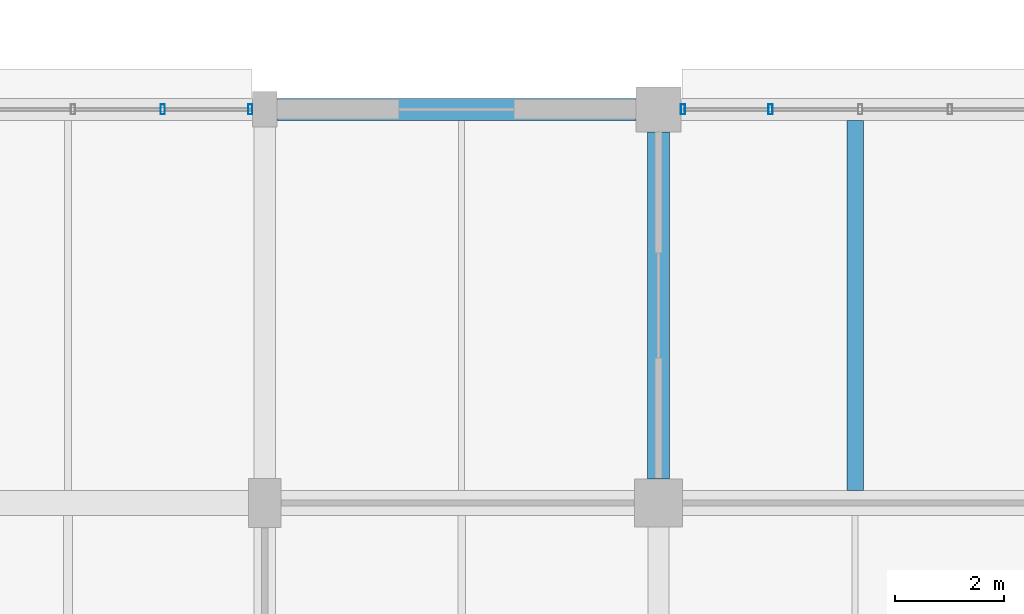
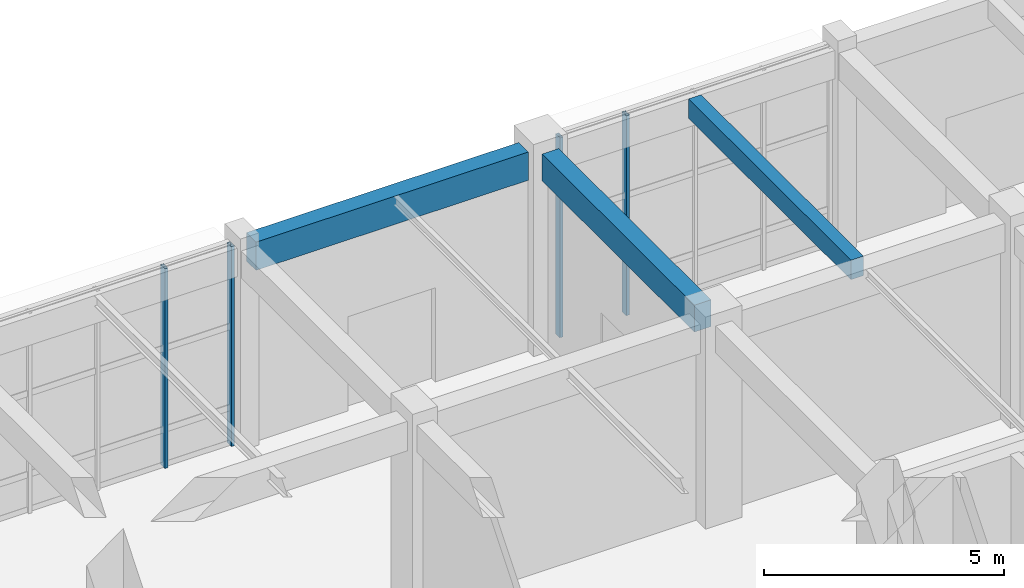
# One storey, part 58 of 160: 4 members, 3 beams, 2 elements without a shape of their own.
"""IFC4 building model written with IfcOpenShell, lengths in metres."""

from ifc_helpers import new_model, si_unit, direction, frame, origin, origin_2d, place, context, subcontext, project, spatial, rectangle, hollow_rectangle, extrude, material, material_profile, profile_set, type_object, element, aggregate, save


model = new_model("IFC4")

# Units and contexts
model_context = context("Model", 3, precision=1e-05, world=origin(), true_north=direction((0.0, 1.0)))
body_context = subcontext(model_context, "Body", "Model", "MODEL_VIEW")
ifc_project = project(units=[si_unit("LENGTHUNIT", "METRE"), si_unit("AREAUNIT", "SQUARE_METRE"), si_unit("VOLUMEUNIT", "CUBIC_METRE"), si_unit("PLANEANGLEUNIT", "RADIAN"), si_unit("MASSUNIT", "GRAM", prefix="KILO")], contexts=[model_context])

# Site, building, storey
site_placement = place(None, origin())
site = spatial("IfcSite", under=ifc_project, at=site_placement, CompositionType="ELEMENT")
building_placement = place(site_placement, origin())
building = spatial("IfcBuilding", under=site, at=building_placement, Name="Thalmaran Polytechnic", CompositionType="ELEMENT")
storey_placement = place(building_placement, origin())
storey = spatial("IfcBuildingStorey", under=building, at=storey_placement, Name="L00", CompositionType="ELEMENT", Elevation=0.0)

# Beams
ifc_material_1 = material(Name="Concrete C40/50", Category="concrete")
ifc_material_profile_1 = material_profile(ifc_material_1, rectangle(XDim=0.300048828125, YDim=0.5, at=origin_2d()), Name="RC 300x500")
ifc_profile_set_1 = profile_set([ifc_material_profile_1], Name="Concrete C40/50")
beam_type_1 = type_object("IfcBeamType", Name="BM-RC11", PredefinedType="JOIST", material=ifc_profile_set_1)
beam_1_placement = place(storey_placement, frame((25.199951171875, 115.425048828125, 4.840087890625), z_axis=(0.0, 1.0, 0.0), x_axis=(-1.0, 0.0, 0.0)))
element("IfcBeam", 1, at=beam_1_placement, inside=storey, type_object=beam_type_1, Name="Secondary Floor Rib RB01 L00 (3,16)", PredefinedType="JOIST", context=body_context, shape_type="SweptSolid", body=[
    extrude(rectangle(XDim=0.300048828125, YDim=0.5, at=origin_2d()), origin(), (0.0, 0.0, 1.0), 6.77490234375),
])
ifc_material_profile_2 = material_profile(ifc_material_1, rectangle(XDim=0.39990234375, YDim=0.719970703125, at=origin_2d()), Name="RC 400x720")
ifc_profile_set_2 = profile_set([ifc_material_profile_2], Name="Concrete C40/50")
beam_type_2 = type_object("IfcBeamType", Name="BM-SP01", PredefinedType="SPANDREL", material=ifc_profile_set_2)
beam_2_placement = place(storey_placement, frame((14.625, 122.39990234375, 4.72998046875), z_axis=(1.0, 0.0, 0.0), x_axis=(0.0, 1.0, 0.0)))
element("IfcBeam", 2, at=beam_2_placement, inside=storey, type_object=beam_type_2, Name="Grid Beam SP01 L00 X(2,17)", PredefinedType="SPANDREL", context=body_context, shape_type="SweptSolid", body=[
    extrude(rectangle(XDim=0.39990234375, YDim=0.719970703125, at=origin_2d()), origin(), (0.0, 0.0, 1.0), 6.56494140625),
])
ifc_material_profile_3 = material_profile(ifc_material_1, rectangle(XDim=0.39990234375, YDim=0.68505859375, at=origin_2d()), Name="RC 400x685")
ifc_profile_set_3 = profile_set([ifc_material_profile_3], Name="Concrete C40/50")
beam_type_3 = type_object("IfcBeamType", Name="BM-ZB07", PredefinedType="BEAM", material=ifc_profile_set_3)
beam_3_placement = place(storey_placement, frame((21.60009765625, 115.639892578125, 4.74755859375), z_axis=(0.0, 1.0, 0.0), x_axis=(-1.0, 0.0, 0.0)))
element("IfcBeam", 3, at=beam_3_placement, inside=storey, type_object=beam_type_3, Name="Grid Beam ZB07 L00 Y(3,16)", PredefinedType="BEAM", context=body_context, shape_type="SweptSolid", body=[
    extrude(rectangle(XDim=0.39990234375, YDim=0.68505859375, at=origin_2d()), origin(), (0.0, 0.0, 1.0), 6.35009765625),
])

# Curtain wall, members
ifc_material_2 = material(Name="Aluminium 6063-T6", Category="aluminium")
curtain_wall_type = type_object("IfcCurtainWallType", Name="CW-UC01", PredefinedType="USERDEFINED", material=ifc_material_2)
curtain_wall_1_placement = place(storey_placement, origin())
curtain_wall_1 = element("IfcCurtainWall", 4, at=curtain_wall_1_placement, inside=storey, type_object=curtain_wall_type, Name="Curtain Wall CW-L00-002", ObjectType="UNITISED CURTAIN WALL", PredefinedType="USERDEFINED")
ifc_material_profile_4 = material_profile(ifc_material_2, hollow_rectangle(XDim=0.080078125, YDim=0.179931640625, WallThickness=0.0048828125, at=origin_2d()), Name="RHS 180x80x5.0")
ifc_profile_set_4 = profile_set([ifc_material_profile_4], Name="Aluminium 6063-T6")
member_type = type_object("IfcMemberType", Name="CW-MUL1", PredefinedType="MULLION", material=ifc_profile_set_4)
member_1_placement = place(storey_placement, frame((12.53369140625, 122.39990234375, 0.0), z_axis=(0.0, 0.0, 1.0), x_axis=(1.0, 0.0, 0.0)))
member_1 = element("IfcMember", 5, at=member_1_placement, type_object=member_type, Name="CW-L00-002 Mullion 4", PredefinedType="MULLION", context=body_context, shape_type="SweptSolid", body=[
    extrude(hollow_rectangle(XDim=0.080078125, YDim=0.179931640625, WallThickness=0.0048828125, at=origin_2d()), origin(), (0.0, 0.0, 1.0), 5.090087890625),
])
member_2_placement = place(storey_placement, frame((14.135009765625, 122.39990234375, 0.0), z_axis=(0.0, 0.0, 1.0), x_axis=(1.0, 0.0, 0.0)))
member_2 = element("IfcMember", 6, at=member_2_placement, type_object=member_type, Name="CW-L00-002 Mullion 5", PredefinedType="MULLION", context=body_context, shape_type="SweptSolid", body=[
    extrude(hollow_rectangle(XDim=0.080078125, YDim=0.179931640625, WallThickness=0.0048828125, at=origin_2d()), origin(), (0.0, 0.0, 1.0), 5.090087890625),
])
aggregate(curtain_wall_1, [member_1, member_2])

curtain_wall_2_placement = place(storey_placement, origin())
curtain_wall_2 = element("IfcCurtainWall", 7, at=curtain_wall_2_placement, inside=storey, type_object=curtain_wall_type, Name="Curtain Wall CW-L00-003", ObjectType="UNITISED CURTAIN WALL", PredefinedType="USERDEFINED")
member_3_placement = place(storey_placement, frame((22.050048828125, 122.39990234375, 0.0), z_axis=(0.0, 0.0, 1.0), x_axis=(1.0, 0.0, 0.0)))
member_3 = element("IfcMember", 8, at=member_3_placement, type_object=member_type, Name="CW-L00-003 Mullion 1", PredefinedType="MULLION", context=body_context, shape_type="SweptSolid", body=[
    extrude(hollow_rectangle(XDim=0.080078125, YDim=0.179931640625, WallThickness=0.0048828125, at=origin_2d()), origin(), (0.0, 0.0, 1.0), 5.090087890625),
])
member_4_placement = place(storey_placement, frame((23.6513671875, 122.39990234375, 0.0), z_axis=(0.0, 0.0, 1.0), x_axis=(1.0, 0.0, 0.0)))
member_4 = element("IfcMember", 9, at=member_4_placement, type_object=member_type, Name="CW-L00-003 Mullion 2", PredefinedType="MULLION", context=body_context, shape_type="SweptSolid", body=[
    extrude(hollow_rectangle(XDim=0.080078125, YDim=0.179931640625, WallThickness=0.0048828125, at=origin_2d()), origin(), (0.0, 0.0, 1.0), 5.090087890625),
])
aggregate(curtain_wall_2, [member_3, member_4])

save(model, "model.ifc")
